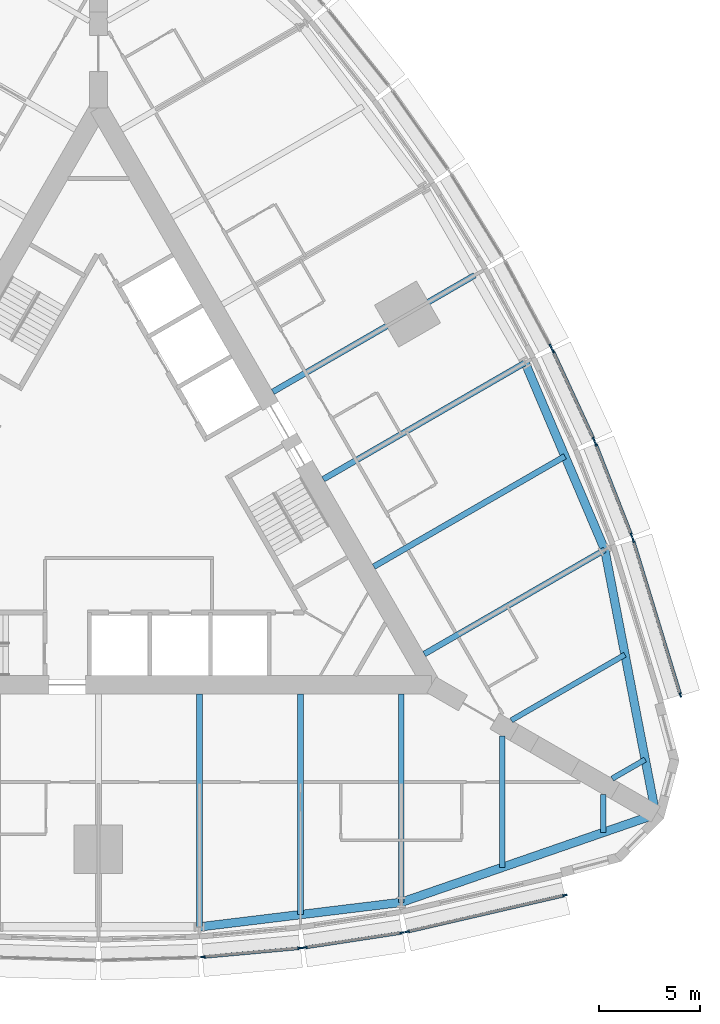
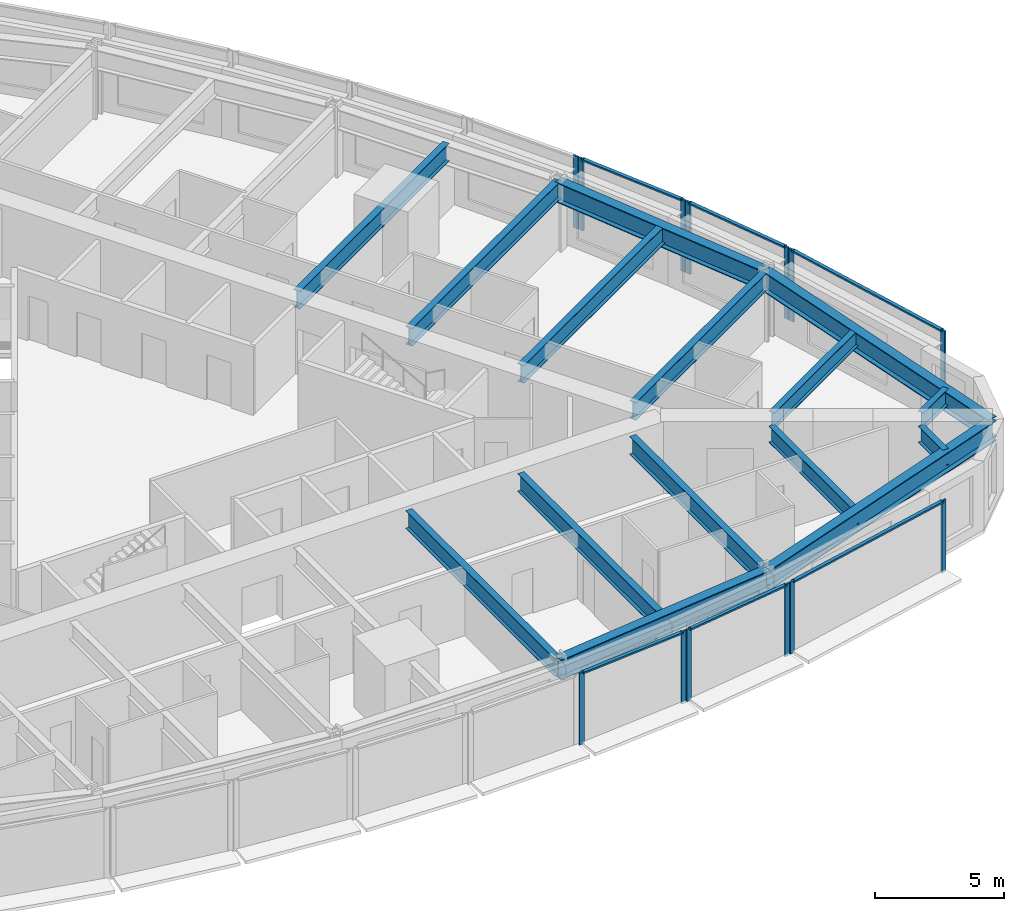
# One storey, part 3 of 14: 19 members, 15 beams, 7 elements without a shape of their own.
"""IFC4 building model written with IfcOpenShell, lengths in metres."""

from ifc_helpers import new_model, si_unit, direction, frame, origin, origin_2d, place, context, subcontext, project, spatial, rectangle, i_section, extrude, material, material_profile, profile_set, type_object, element, aggregate, save


model = new_model("IFC4")

# Units and contexts
model_context = context("Model", 3, precision=1e-05, world=origin(), true_north=direction((0.0, 1.0)))
body_context = subcontext(model_context, "Body", "Model", "MODEL_VIEW")
ifc_project = project(units=[si_unit("LENGTHUNIT", "METRE"), si_unit("AREAUNIT", "SQUARE_METRE"), si_unit("VOLUMEUNIT", "CUBIC_METRE"), si_unit("PLANEANGLEUNIT", "RADIAN"), si_unit("MASSUNIT", "GRAM", prefix="KILO")], contexts=[model_context])

# Site, building, storey
site_placement = place(None, origin())
site = spatial("IfcSite", under=ifc_project, at=site_placement, CompositionType="ELEMENT")
building_placement = place(site_placement, origin())
building = spatial("IfcBuilding", under=site, at=building_placement, Name="Trikona Tower", CompositionType="ELEMENT")
storey_placement = place(building_placement, frame((0.0, 0.0, 59.10009765625)))
storey = spatial("IfcBuildingStorey", under=building, at=storey_placement, Name="L14", CompositionType="ELEMENT", Elevation=59.10009765625)

# Curtain wall, members
ifc_material_1 = material(Name="Aluminium curtain wall system", Category="aluminium")
curtain_wall_type = type_object("IfcCurtainWallType", Name="Curtain wall DS1", PredefinedType="NOTDEFINED", material=ifc_material_1)
curtain_wall_1_placement = place(storey_placement, origin())
curtain_wall_1 = element("IfcCurtainWall", 1, at=curtain_wall_1_placement, inside=storey, type_object=curtain_wall_type, Name="Curtain wall DS1 L14", PredefinedType="NOTDEFINED")
ifc_material_2 = material(Name="Aluminium mullion, pale anodised", Category="aluminium")
ifc_material_profile_1 = material_profile(ifc_material_2, rectangle(XDim=0.080078125, YDim=0.219970703125, at=origin_2d()), Name="MUL-DS1")
ifc_profile_set_1 = profile_set([ifc_material_profile_1], Name="Aluminium mullion, pale anodised")
member_type_1 = type_object("IfcMemberType", Name="Mullion DS1 80x220", PredefinedType="MULLION", material=ifc_profile_set_1)
member_1_placement = place(storey_placement, frame((5.181396484375, -23.007568359375, 0.0), z_axis=(0.0, 0.0, 1.0), x_axis=(-0.090923932737, 0.995857840485, 0.0)))
member_1 = element("IfcMember", 2, at=member_1_placement, type_object=member_type_1, Name="CW-DS1 mullion 1", PredefinedType="MULLION", context=body_context, shape_type="SweptSolid", body=[
    extrude(rectangle(XDim=0.080078125, YDim=0.219970703125, at=origin_2d()), origin(), (0.0, 0.0, 1.0), 3.39990234375),
])
member_2_placement = place(storey_placement, frame((9.982177734375, -22.5693359375, 0.0), z_axis=(0.0, 0.0, 1.0), x_axis=(-0.090923932737, 0.995857840485, 0.0)))
member_2 = element("IfcMember", 3, at=member_2_placement, type_object=member_type_1, Name="CW-DS1 mullion 2", PredefinedType="MULLION", context=body_context, shape_type="SweptSolid", body=[
    extrude(rectangle(XDim=0.080078125, YDim=0.219970703125, at=origin_2d()), origin(), (0.0, 0.0, 1.0), 3.39990234375),
])

curtain_wall_2_placement = place(storey_placement, origin())
curtain_wall_2 = element("IfcCurtainWall", 4, at=curtain_wall_2_placement, inside=storey, type_object=curtain_wall_type, Name="Curtain wall DS1 L14", PredefinedType="NOTDEFINED")
member_3_placement = place(storey_placement, frame((10.234130859375, -22.53857421875, 0.0), z_axis=(0.0, 0.0, 1.0), x_axis=(-0.150437693845, 0.988619492156, 0.0)))
member_3 = element("IfcMember", 5, at=member_3_placement, type_object=member_type_1, Name="CW-DS1 mullion 1", PredefinedType="MULLION", context=body_context, shape_type="SweptSolid", body=[
    extrude(rectangle(XDim=0.080078125, YDim=0.219970703125, at=origin_2d()), origin(), (0.0, 0.0, 1.0), 3.39990234375),
])
member_4_placement = place(storey_placement, frame((15.03662109375, -21.807861328125, 0.0), z_axis=(0.0, 0.0, 1.0), x_axis=(-0.150437693845, 0.988619492156, 0.0)))
member_4 = element("IfcMember", 6, at=member_4_placement, type_object=member_type_1, Name="CW-DS1 mullion 2", PredefinedType="MULLION", context=body_context, shape_type="SweptSolid", body=[
    extrude(rectangle(XDim=0.080078125, YDim=0.219970703125, at=origin_2d()), origin(), (0.0, 0.0, 1.0), 3.39990234375),
])

curtain_wall_3_placement = place(storey_placement, origin())
curtain_wall_3 = element("IfcCurtainWall", 7, at=curtain_wall_3_placement, inside=storey, type_object=curtain_wall_type, Name="Curtain wall DS1 L14", PredefinedType="NOTDEFINED")
member_5_placement = place(storey_placement, frame((15.30029296875, -21.75732421875, 0.0), z_axis=(0.0, 0.0, 1.0), x_axis=(-0.225343288756, 0.974279427173, 0.0)))
member_5 = element("IfcMember", 8, at=member_5_placement, type_object=member_type_1, Name="CW-DS1 mullion 1", PredefinedType="MULLION", context=body_context, shape_type="SweptSolid", body=[
    extrude(rectangle(XDim=0.080078125, YDim=0.219970703125, at=origin_2d()), origin(), (0.0, 0.0, 1.0), 3.39990234375),
])
member_6_placement = place(storey_placement, frame((23.10546875, -19.951904296875, 0.0), z_axis=(0.0, 0.0, 1.0), x_axis=(-0.225343288756, 0.974279427173, 0.0)))
member_6 = element("IfcMember", 9, at=member_6_placement, type_object=member_type_1, Name="CW-DS1 mullion 2", PredefinedType="MULLION", context=body_context, shape_type="SweptSolid", body=[
    extrude(rectangle(XDim=0.080078125, YDim=0.219970703125, at=origin_2d()), origin(), (0.0, 0.0, 1.0), 3.39990234375),
])

curtain_wall_4_placement = place(storey_placement, origin())
curtain_wall_4 = element("IfcCurtainWall", 10, at=curtain_wall_4_placement, inside=storey, type_object=curtain_wall_type, Name="Curtain wall DS1 L14", PredefinedType="NOTDEFINED")
member_7_placement = place(storey_placement, frame((28.83154296875, -10.033935546875, 0.0), z_axis=(0.0, 0.0, 1.0), x_axis=(-0.956423115383, -0.291984287868, 0.0)))
member_7 = element("IfcMember", 11, at=member_7_placement, type_object=member_type_1, Name="CW-DS1 mullion 1", PredefinedType="MULLION", context=body_context, shape_type="SweptSolid", body=[
    extrude(rectangle(XDim=0.080078125, YDim=0.219970703125, at=origin_2d()), origin(), (0.0, 0.0, 1.0), 3.39990234375),
])
member_8_placement = place(storey_placement, frame((26.492431640625, -2.371826171875, 0.0), z_axis=(0.0, 0.0, 1.0), x_axis=(-0.956423115383, -0.291984287868, 0.0)))
member_8 = element("IfcMember", 12, at=member_8_placement, type_object=member_type_1, Name="CW-DS1 mullion 2", PredefinedType="MULLION", context=body_context, shape_type="SweptSolid", body=[
    extrude(rectangle(XDim=0.080078125, YDim=0.219970703125, at=origin_2d()), origin(), (0.0, 0.0, 1.0), 3.39990234375),
])

curtain_wall_5_placement = place(storey_placement, origin())
curtain_wall_5 = element("IfcCurtainWall", 13, at=curtain_wall_5_placement, inside=storey, type_object=curtain_wall_type, Name="Curtain wall DS1 L14", PredefinedType="NOTDEFINED")
member_9_placement = place(storey_placement, frame((26.404296875, -2.1181640625, 0.0), z_axis=(0.0, 0.0, 1.0), x_axis=(-0.931395989443, -0.36400756977, 0.0)))
member_9 = element("IfcMember", 14, at=member_9_placement, type_object=member_type_1, Name="CW-DS1 mullion 1", PredefinedType="MULLION", context=body_context, shape_type="SweptSolid", body=[
    extrude(rectangle(XDim=0.080078125, YDim=0.219970703125, at=origin_2d()), origin(), (0.0, 0.0, 1.0), 3.39990234375),
])
member_10_placement = place(storey_placement, frame((24.63623046875, 2.40625, 0.0), z_axis=(0.0, 0.0, 1.0), x_axis=(-0.931395989443, -0.36400756977, 0.0)))
member_10 = element("IfcMember", 15, at=member_10_placement, type_object=member_type_1, Name="CW-DS1 mullion 2", PredefinedType="MULLION", context=body_context, shape_type="SweptSolid", body=[
    extrude(rectangle(XDim=0.080078125, YDim=0.219970703125, at=origin_2d()), origin(), (0.0, 0.0, 1.0), 3.39990234375),
])

curtain_wall_6_placement = place(storey_placement, origin())
curtain_wall_6 = element("IfcCurtainWall", 16, at=curtain_wall_6_placement, inside=storey, type_object=curtain_wall_type, Name="Curtain wall DS1 L14", PredefinedType="NOTDEFINED")
member_11_placement = place(storey_placement, frame((24.53662109375, 2.6396484375, 0.0), z_axis=(0.0, 0.0, 1.0), x_axis=(-0.907898459992, -0.419190155352, 0.0)))
member_11 = element("IfcMember", 17, at=member_11_placement, type_object=member_type_1, Name="CW-DS1 mullion 1", PredefinedType="MULLION", context=body_context, shape_type="SweptSolid", body=[
    extrude(rectangle(XDim=0.080078125, YDim=0.219970703125, at=origin_2d()), origin(), (0.0, 0.0, 1.0), 3.39990234375),
])
member_12_placement = place(storey_placement, frame((22.515869140625, 7.0166015625, 0.0), z_axis=(0.0, 0.0, 1.0), x_axis=(-0.907898459992, -0.419190155352, 0.0)))
member_12 = element("IfcMember", 18, at=member_12_placement, type_object=member_type_1, Name="CW-DS1 mullion 2", PredefinedType="MULLION", context=body_context, shape_type="SweptSolid", body=[
    extrude(rectangle(XDim=0.080078125, YDim=0.219970703125, at=origin_2d()), origin(), (0.0, 0.0, 1.0), 3.39990234375),
])

# Curtain wall, member
curtain_wall_7_placement = place(storey_placement, origin())
curtain_wall_7 = element("IfcCurtainWall", 19, at=curtain_wall_7_placement, inside=storey, type_object=curtain_wall_type, Name="Curtain wall DS1 L14", PredefinedType="NOTDEFINED")
member_13_placement = place(storey_placement, frame((22.402099609375, 7.244140625, 0.0), z_axis=(0.0, 0.0, 1.0), x_axis=(-0.880843080975, -0.473408350896, 0.0)))
member_13 = element("IfcMember", 20, at=member_13_placement, type_object=member_type_1, Name="CW-DS1 mullion 1", PredefinedType="MULLION", context=body_context, shape_type="SweptSolid", body=[
    extrude(rectangle(XDim=0.080078125, YDim=0.219970703125, at=origin_2d()), origin(), (0.0, 0.0, 1.0), 3.39990234375),
])
aggregate(curtain_wall_7, [member_13])

# Beams
ifc_material_3 = material(Name="Steel ASTM A992 Grade 50", Category="steel")
ifc_material_profile_2 = material_profile(ifc_material_3, i_section(OverallWidth=0.2666015625, OverallDepth=0.76953125, WebThickness=0.015625, FlangeThickness=0.025390625, at=origin_2d()), Name="W30X132")
ifc_profile_set_2 = profile_set([ifc_material_profile_2], Name="Steel ASTM A992 Grade 50")
beam_type_1 = type_object("IfcBeamType", Name="Steel beam W30x132 (wedge)", PredefinedType="BEAM", material=ifc_profile_set_2)
beam_1_placement = place(storey_placement, frame((20.0, -12.066650390625, 2.85009765625), z_axis=(0.0, -1.0, 0.0), x_axis=(1.0, 0.0, 0.0)))
element("IfcBeam", 21, at=beam_1_placement, inside=storey, type_object=beam_type_1, Name="Floor beam L15 F1 u20", PredefinedType="BEAM", context=body_context, shape_type="SweptSolid", body=[
    extrude(i_section(OverallWidth=0.2666015625, OverallDepth=0.76953125, WebThickness=0.015625, FlangeThickness=0.025390625, at=origin_2d()), origin(), (0.0, 0.0, 1.0), 6.5068359375),
])
for number, where, z_axis, x_axis, name in (
    (22, (25.0, -14.953369140625, 2.85009765625), (0.0, -1.0, 0.0), (1.0, 0.0, 0.0), "Floor beam L15 F1 u25"),
    (23, (25.449951171875, -14.173828125, 2.85009765625), (0.866065156741, 0.499931139538, 0.0), (-0.499931139538, 0.866065156741, 0.0), "Floor beam L15 F2 u-25"),
):
    element("IfcBeam", number, at=place(storey_placement, frame(where, z_axis=z_axis, x_axis=x_axis)), inside=storey, type_object=beam_type_1, Name=name, PredefinedType="BEAM", context=body_context, shape_type="SweptSolid", body=[
        extrude(i_section(OverallWidth=0.2666015625, OverallDepth=0.76953125, WebThickness=0.015625, FlangeThickness=0.025390625, at=origin_2d()), origin(), (0.0, 0.0, 1.0), 1.890380859375),
    ])
beam_2_placement = place(storey_placement, frame((20.449951171875, -11.287109375, 2.85009765625), z_axis=(0.866022504693, 0.50000502134, 0.0), x_axis=(-0.50000502134, 0.866022504693, 0.0)))
element("IfcBeam", 24, at=beam_2_placement, inside=storey, type_object=beam_type_1, Name="Floor beam L15 F2 u-20", PredefinedType="BEAM", context=body_context, shape_type="SweptSolid", body=[
    extrude(i_section(OverallWidth=0.2666015625, OverallDepth=0.76953125, WebThickness=0.015625, FlangeThickness=0.025390625, at=origin_2d()), origin(), (0.0, 0.0, 1.0), 6.5068359375),
])
ifc_material_4 = material(Name="Steel ASTM A992 Grade 50", Category="steel")
ifc_material_profile_3 = material_profile(ifc_material_4, i_section(OverallWidth=0.2919921875, OverallDepth=0.845703125, WebThickness=0.015380859375, FlangeThickness=0.0244140625, at=origin_2d()), Name="W33X141")
ifc_profile_set_3 = profile_set([ifc_material_profile_3], Name="Steel ASTM A992 Grade 50")
beam_type_2 = type_object("IfcBeamType", Name="Steel beam W33x141 (radial typ)", PredefinedType="BEAM", material=ifc_profile_set_3)
beam_3_placement = place(storey_placement, frame((5.0, -9.976318359375, 2.81201171875), z_axis=(0.0, -1.0, 0.0), x_axis=(1.0, 0.0, 0.0)))
element("IfcBeam", 25, at=beam_3_placement, inside=storey, type_object=beam_type_2, Name="Floor beam L15 F1 u5", PredefinedType="BEAM", context=body_context, shape_type="SweptSolid", body=[
    extrude(i_section(OverallWidth=0.2919921875, OverallDepth=0.845703125, WebThickness=0.015380859375, FlangeThickness=0.0244140625, at=origin_2d()), origin(), (0.0, 0.0, 1.0), 11.544189453125),
])
beam_4_placement = place(storey_placement, frame((10.0, -9.976318359375, 2.81201171875), z_axis=(0.0, -1.0, 0.0), x_axis=(1.0, 0.0, 0.0)))
element("IfcBeam", 26, at=beam_4_placement, inside=storey, type_object=beam_type_2, Name="Floor beam L15 F1 u10", PredefinedType="BEAM", context=body_context, shape_type="SweptSolid", body=[
    extrude(i_section(OverallWidth=0.2919921875, OverallDepth=0.845703125, WebThickness=0.015380859375, FlangeThickness=0.0244140625, at=origin_2d()), origin(), (0.0, 0.0, 1.0), 10.935302734375),
])
beam_5_placement = place(storey_placement, frame((15.0, -9.976318359375, 2.81201171875), z_axis=(0.0, -1.0, 0.0), x_axis=(1.0, 0.0, 0.0)))
element("IfcBeam", 27, at=beam_5_placement, inside=storey, type_object=beam_type_2, Name="Floor beam L15 F1 u15", PredefinedType="BEAM", context=body_context, shape_type="SweptSolid", body=[
    extrude(i_section(OverallWidth=0.2919921875, OverallDepth=0.845703125, WebThickness=0.015380859375, FlangeThickness=0.0244140625, at=origin_2d()), origin(), (0.0, 0.0, 1.0), 10.32666015625),
])
beam_6_placement = place(storey_placement, frame((16.1396484375, -8.002197265625, 2.81201171875), z_axis=(0.866030471684, 0.499991222037, 0.0), x_axis=(-0.499991222037, 0.866030471684, 0.0)))
element("IfcBeam", 28, at=beam_6_placement, inside=storey, type_object=beam_type_2, Name="Floor beam L15 F2 u-15", PredefinedType="BEAM", context=body_context, shape_type="SweptSolid", body=[
    extrude(i_section(OverallWidth=0.2919921875, OverallDepth=0.845703125, WebThickness=0.015380859375, FlangeThickness=0.0244140625, at=origin_2d()), origin(), (0.0, 0.0, 1.0), 10.326904296875),
])
beam_7_placement = place(storey_placement, frame((13.6396484375, -3.672119140625, 2.81201171875), z_axis=(0.866025348605, 0.500000095573, 0.0), x_axis=(-0.500000095573, 0.866025348605, 0.0)))
element("IfcBeam", 29, at=beam_7_placement, inside=storey, type_object=beam_type_2, Name="Floor beam L15 F2 u-10", PredefinedType="BEAM", context=body_context, shape_type="SweptSolid", body=[
    extrude(i_section(OverallWidth=0.2919921875, OverallDepth=0.845703125, WebThickness=0.015380859375, FlangeThickness=0.0244140625, at=origin_2d()), origin(), (0.0, 0.0, 1.0), 10.935546875),
])
for number, where, z_axis, x_axis, name in (
    (30, (11.1396484375, 0.657958984375, 2.81201171875), (0.866020765707, 0.500008033299, 0.0), (-0.500008033299, 0.866020765707, 0.0), "Floor beam L15 F2 u-5"),
    (31, (8.6396484375, 4.988037109375, 2.81201171875), (0.866020765707, 0.500008033299, 0.0), (-0.500008033299, 0.866020765707, 0.0), "Floor beam L15 F2 u0"),
):
    element("IfcBeam", number, at=place(storey_placement, frame(where, z_axis=z_axis, x_axis=x_axis)), inside=storey, type_object=beam_type_2, Name=name, PredefinedType="BEAM", context=body_context, shape_type="SweptSolid", body=[
        extrude(i_section(OverallWidth=0.2919921875, OverallDepth=0.845703125, WebThickness=0.015380859375, FlangeThickness=0.0244140625, at=origin_2d()), origin(), (0.0, 0.0, 1.0), 11.544189453125),
    ])
ifc_material_5 = material(Name="Steel ASTM A992 Grade 50", Category="steel")
ifc_material_profile_4 = material_profile(ifc_material_5, i_section(OverallWidth=0.424072265625, OverallDepth=0.947509765625, WebThickness=0.02392578125, FlangeThickness=0.042724609375, at=origin_2d()), Name="W36X302")
ifc_profile_set_4 = profile_set([ifc_material_profile_4], Name="Steel ASTM A992 Grade 50")
beam_type_3 = type_object("IfcBeamType", Name="Steel beam W36x302 (spandrel)", PredefinedType="SPANDREL", material=ifc_profile_set_4)
beam_8_placement = place(storey_placement, frame((5.0, -21.5205078125, 2.76123046875), z_axis=(0.99266951126, 0.120860421207, 0.0), x_axis=(-0.120860421207, 0.99266951126, 0.0)))
element("IfcBeam", 32, at=beam_8_placement, inside=storey, type_object=beam_type_3, Name="Spandrel beam L15 F1-4", PredefinedType="SPANDREL", context=body_context, shape_type="SweptSolid", body=[
    extrude(i_section(OverallWidth=0.424072265625, OverallDepth=0.947509765625, WebThickness=0.02392578125, FlangeThickness=0.042724609375, at=origin_2d()), origin(), (0.0, 0.0, 1.0), 10.07373046875),
])
for number, where, z_axis, x_axis, name in (
    (33, (15.0, -20.302978515625, 2.76123046875), (0.945056965739, 0.326905692071, 0.0), (-0.326905692071, 0.945056965739, 0.0), "Spandrel beam L15 F1-5"),
    (34, (27.6103515625, -15.94091796875, 2.76123046875), (-0.189405184036, 0.981899015307, 0.0), (-0.981899015307, -0.189405184036, 0.0), "Spandrel beam L15 F2-1"),
):
    element("IfcBeam", number, at=place(storey_placement, frame(where, z_axis=z_axis, x_axis=x_axis)), inside=storey, type_object=beam_type_3, Name=name, PredefinedType="SPANDREL", context=body_context, shape_type="SweptSolid", body=[
        extrude(i_section(OverallWidth=0.424072265625, OverallDepth=0.947509765625, WebThickness=0.02392578125, FlangeThickness=0.042724609375, at=origin_2d()), origin(), (0.0, 0.0, 1.0), 13.343505859375),
    ])
beam_9_placement = place(storey_placement, frame((25.0830078125, -2.8388671875, 2.76123046875), z_axis=(-0.391683514847, 0.920100007715, 0.0), x_axis=(-0.920100007715, -0.391683514847, 0.0)))
element("IfcBeam", 35, at=beam_9_placement, inside=storey, type_object=beam_type_3, Name="Spandrel beam L15 F2-2", PredefinedType="SPANDREL", context=body_context, shape_type="SweptSolid", body=[
    extrude(i_section(OverallWidth=0.424072265625, OverallDepth=0.947509765625, WebThickness=0.02392578125, FlangeThickness=0.042724609375, at=origin_2d()), origin(), (0.0, 0.0, 1.0), 10.073974609375),
])

# Member
ifc_material_6 = material(Name="Aluminium transom, pale anodised", Category="aluminium")
ifc_material_profile_5 = material_profile(ifc_material_6, rectangle(XDim=0.159912109375, YDim=0.080078125, at=origin_2d()), Name="TRN-DS1")
ifc_profile_set_5 = profile_set([ifc_material_profile_5], Name="Aluminium transom, pale anodised")
member_type_2 = type_object("IfcMemberType", Name="Transom DS1 80x160", PredefinedType="USERDEFINED", material=ifc_profile_set_5)
member_14_placement = place(storey_placement, frame((5.22119140625, -23.00390625, 3.35986328125), z_axis=(0.995855977008, 0.090944340438, 0.0), x_axis=(-0.090944340438, 0.995855977008, 0.0)))
member_14 = element("IfcMember", 36, at=member_14_placement, type_object=member_type_2, Name="CW-DS1 transom 1.1", ObjectType="TRANSOM", PredefinedType="USERDEFINED", context=body_context, shape_type="SweptSolid", body=[
    extrude(rectangle(XDim=0.159912109375, YDim=0.080078125, at=origin_2d()), origin(), (0.0, 0.0, 1.0), 4.74072265625),
])

aggregate(curtain_wall_1, [member_1, member_2, member_14])

member_15_placement = place(storey_placement, frame((10.273681640625, -22.532470703125, 3.35986328125), z_axis=(0.988619663412, 0.150436568413, 0.0), x_axis=(-0.150436568413, 0.988619663412, 0.0)))
member_15 = element("IfcMember", 37, at=member_15_placement, type_object=member_type_2, Name="CW-DS1 transom 1.1", ObjectType="TRANSOM", PredefinedType="USERDEFINED", context=body_context, shape_type="SweptSolid", body=[
    extrude(rectangle(XDim=0.159912109375, YDim=0.080078125, at=origin_2d()), origin(), (0.0, 0.0, 1.0), 4.77783203125),
])

aggregate(curtain_wall_2, [member_3, member_4, member_15])

member_16_placement = place(storey_placement, frame((15.33935546875, -21.748291015625, 3.35986328125), z_axis=(0.974275371842, 0.225360821398, 0.0), x_axis=(-0.225360821398, 0.974275371842, 0.0)))
member_16 = element("IfcMember", 38, at=member_16_placement, type_object=member_type_2, Name="CW-DS1 transom 1.1", ObjectType="TRANSOM", PredefinedType="USERDEFINED", context=body_context, shape_type="SweptSolid", body=[
    extrude(rectangle(XDim=0.159912109375, YDim=0.080078125, at=origin_2d()), origin(), (0.0, 0.0, 1.0), 7.93115234375),
])

aggregate(curtain_wall_3, [member_5, member_6, member_16])

member_17_placement = place(storey_placement, frame((28.81982421875, -9.99560546875, 3.35986328125), z_axis=(-0.291967490203, 0.956428243343, 0.0), x_axis=(-0.956428243343, -0.291967490203, 0.0)))
member_17 = element("IfcMember", 39, at=member_17_placement, type_object=member_type_2, Name="CW-DS1 transom 1.1", ObjectType="TRANSOM", PredefinedType="USERDEFINED", context=body_context, shape_type="SweptSolid", body=[
    extrude(rectangle(XDim=0.159912109375, YDim=0.080078125, at=origin_2d()), origin(), (0.0, 0.0, 1.0), 7.93115234375),
])

aggregate(curtain_wall_4, [member_7, member_8, member_17])

member_18_placement = place(storey_placement, frame((26.389892578125, -2.080810546875, 3.35986328125), z_axis=(-0.364048647668, 0.931379934362, 0.0), x_axis=(-0.931379934362, -0.364048647668, 0.0)))
member_18 = element("IfcMember", 40, at=member_18_placement, type_object=member_type_2, Name="CW-DS1 transom 1.1", ObjectType="TRANSOM", PredefinedType="USERDEFINED", context=body_context, shape_type="SweptSolid", body=[
    extrude(rectangle(XDim=0.159912109375, YDim=0.080078125, at=origin_2d()), origin(), (0.0, 0.0, 1.0), 4.777587890625),
])

aggregate(curtain_wall_5, [member_9, member_10, member_18])

member_19_placement = place(storey_placement, frame((24.52001953125, 2.676025390625, 3.35986328125), z_axis=(-0.419188800665, 0.90789908547, 0.0), x_axis=(-0.90789908547, -0.419188800665, 0.0)))
member_19 = element("IfcMember", 41, at=member_19_placement, type_object=member_type_2, Name="CW-DS1 transom 1.1", ObjectType="TRANSOM", PredefinedType="USERDEFINED", context=body_context, shape_type="SweptSolid", body=[
    extrude(rectangle(XDim=0.159912109375, YDim=0.080078125, at=origin_2d()), origin(), (0.0, 0.0, 1.0), 4.74072265625),
])

aggregate(curtain_wall_6, [member_11, member_12, member_19])

save(model, "model.ifc")
